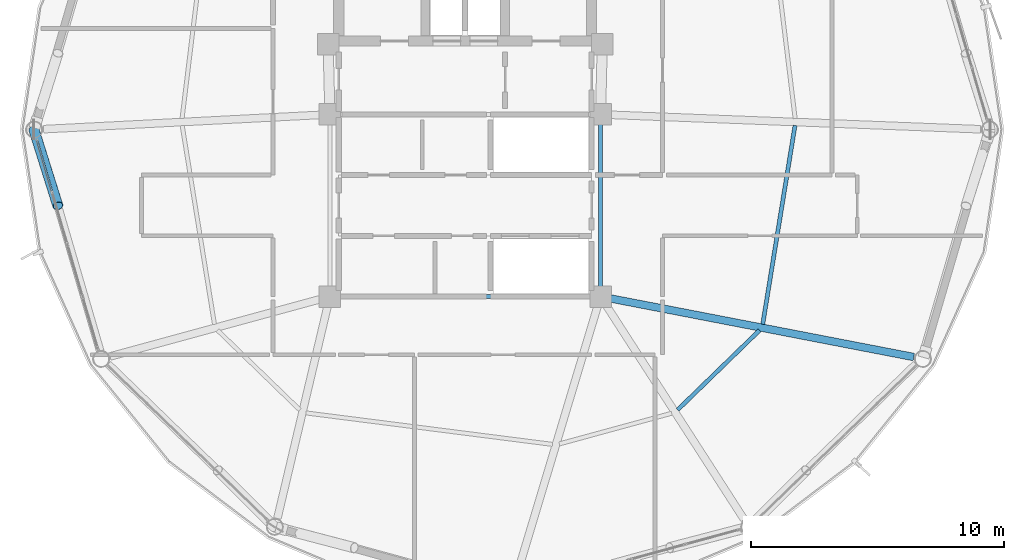
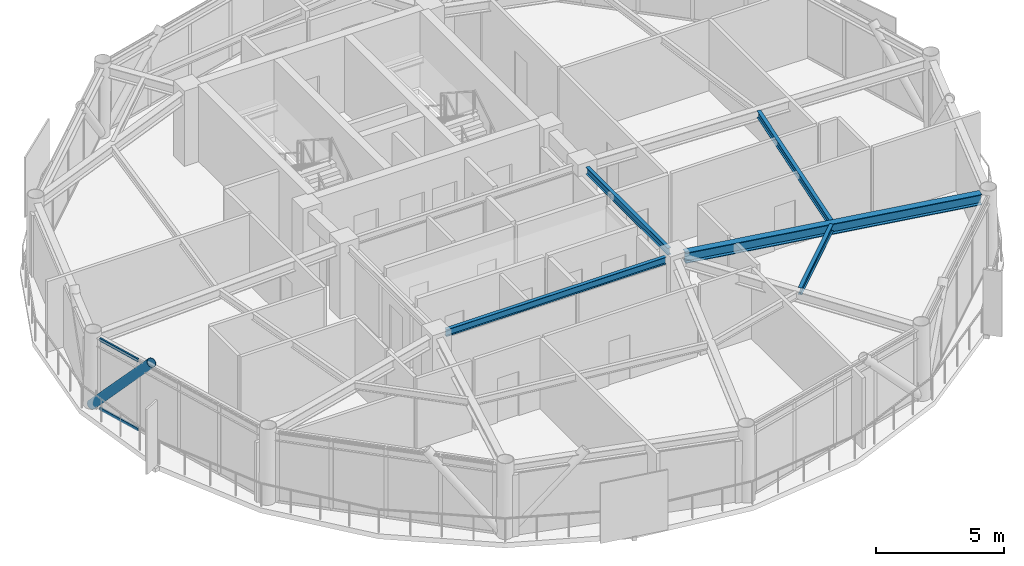
# One storey, part 10 of 28: 5 beams, 3 members, 1 element without a shape of its own.
"""IFC4 building model written with IfcOpenShell, lengths in metres."""

from ifc_helpers import new_model, si_unit, direction, frame, origin, origin_2d, place, context, subcontext, project, spatial, hollow_rectangle, hollow_circle, i_section, extrude, material, layer, layer_set, material_profile, profile_set, type_object, element, aggregate, save


model = new_model("IFC4")

# Units and contexts
model_context = context("Model", 3, precision=1e-05, world=origin(), true_north=direction((0.0, 1.0)))
body_context = subcontext(model_context, "Body", "Model", "MODEL_VIEW")
ifc_project = project(units=[si_unit("LENGTHUNIT", "METRE"), si_unit("AREAUNIT", "SQUARE_METRE"), si_unit("VOLUMEUNIT", "CUBIC_METRE"), si_unit("PLANEANGLEUNIT", "RADIAN"), si_unit("MASSUNIT", "GRAM", prefix="KILO")], contexts=[model_context])

# Site, building, storey
site_placement = place(None, origin())
site = spatial("IfcSite", under=ifc_project, at=site_placement, CompositionType="ELEMENT")
building_placement = place(site_placement, origin())
building = spatial("IfcBuilding", under=site, at=building_placement, Name="Varnakorn Sky Granary", CompositionType="ELEMENT")
storey_placement = place(building_placement, frame((0.0, 0.0, 225.60009765625)))
storey = spatial("IfcBuildingStorey", under=building, at=storey_placement, Name="L57", CompositionType="ELEMENT", Elevation=225.60009765625)

# Beams
ifc_material_1 = material(Name="Steel S355JR", Category="steel")
ifc_material_profile_1 = material_profile(ifc_material_1, i_section(OverallWidth=0.300048828125, OverallDepth=0.5, WebThickness=0.014404296875, FlangeThickness=0.028076171875, at=origin_2d()), Name="HE 500 B")
ifc_profile_set_1 = profile_set([ifc_material_profile_1], Name="Steel S355JR")
beam_type_1 = type_object("IfcBeamType", Name="BM-RAD-Z4", PredefinedType="BEAM", material=ifc_profile_set_1)
beam_1_placement = place(storey_placement, frame((8.74755859375, -6.677001953125, 3.10986328125), z_axis=(0.981832162523, -0.189751428546, 0.0), x_axis=(0.189751428546, 0.981832162523, 0.0)))
element("IfcBeam", 1, at=beam_1_placement, inside=storey, type_object=beam_type_1, Name="Radial Floor Girder RG12 L57", PredefinedType="BEAM", context=body_context, shape_type="SweptSolid", body=[
    extrude(i_section(OverallWidth=0.300048828125, OverallDepth=0.5, WebThickness=0.014404296875, FlangeThickness=0.028076171875, at=origin_2d()), origin(), (0.0, 0.0, 1.0), 12.208984375),
])
ifc_material_profile_2 = material_profile(ifc_material_1, i_section(OverallWidth=0.159912109375, OverallDepth=0.330078125, WebThickness=0.007568359375, FlangeThickness=0.011474609375, at=origin_2d()), Name="IPE 330")
ifc_profile_set_2 = profile_set([ifc_material_profile_2], Name="Steel S355JR")
beam_type_2 = type_object("IfcBeamType", Name="BM-SEC-Z4", PredefinedType="BEAM", material=ifc_profile_set_2)
beam_2_placement = place(storey_placement, frame((11.3994140625, -11.080810546875, 3.19482421875), z_axis=(0.71735190609, 0.696711018162, 0.0), x_axis=(-0.696711018162, 0.71735190609, 0.0)))
element("IfcBeam", 2, at=beam_2_placement, inside=storey, type_object=beam_type_2, Name="Secondary Floor Chord Beam MSB11 L57", PredefinedType="BEAM", context=body_context, shape_type="SweptSolid", body=[
    extrude(i_section(OverallWidth=0.159912109375, OverallDepth=0.330078125, WebThickness=0.007568359375, FlangeThickness=0.011474609375, at=origin_2d()), origin(), (0.0, 0.0, 1.0), 4.518310546875),
])
beam_3_placement = place(storey_placement, frame((14.763427734375, -7.697021484375, 3.19482421875), z_axis=(0.160314268597, 0.987066023772, 0.0), x_axis=(-0.987066023772, 0.160314268597, 0.0)))
element("IfcBeam", 3, at=beam_3_placement, inside=storey, type_object=beam_type_2, Name="Secondary Floor Chord Beam MSB12 L57", PredefinedType="BEAM", context=body_context, shape_type="SweptSolid", body=[
    extrude(i_section(OverallWidth=0.159912109375, OverallDepth=0.330078125, WebThickness=0.007568359375, FlangeThickness=0.011474609375, at=origin_2d()), origin(), (0.0, 0.0, 1.0), 7.960205078125),
])
beam_4_placement = place(storey_placement, frame((8.35009765625, 0.195068359375, 3.19482421875), z_axis=(0.0, -1.0, 0.0), x_axis=(1.0, 0.0, 0.0)))
element("IfcBeam", 4, at=beam_4_placement, inside=storey, type_object=beam_type_2, Name="Core Spine Framing Beam 4 L57", PredefinedType="BEAM", context=body_context, shape_type="SweptSolid", body=[
    extrude(i_section(OverallWidth=0.159912109375, OverallDepth=0.330078125, WebThickness=0.007568359375, FlangeThickness=0.011474609375, at=origin_2d()), origin(), (0.0, 0.0, 1.0), 6.39013671875),
])
beam_5_placement = place(storey_placement, frame((-1.945068359375, -6.60009765625, 3.19482421875), z_axis=(1.0, 0.0, 0.0), x_axis=(0.0, 1.0, 0.0)))
element("IfcBeam", 5, at=beam_5_placement, inside=storey, type_object=beam_type_2, Name="Core Spine Framing Beam 6 L57", PredefinedType="BEAM", context=body_context, shape_type="SweptSolid", body=[
    extrude(i_section(OverallWidth=0.159912109375, OverallDepth=0.330078125, WebThickness=0.007568359375, FlangeThickness=0.011474609375, at=origin_2d()), origin(), (0.0, 0.0, 1.0), 9.89013671875),
])

# Curtain wall, members
ifc_material_2 = material(Name="Anodised Bronze Aluminium Alloy 6063-T6", Category="aluminium")
ifc_layer = layer(ifc_material_2, 0.169921875, Name="Anodised Bronze Aluminium Alloy 6063-T6")
ifc_layer_set = layer_set([ifc_layer], Name="Anodised Bronze Aluminium Alloy 6063-T6")
curtain_wall_type = type_object("IfcCurtainWallType", Name="CW-LAB-1", PredefinedType="USERDEFINED", material=ifc_layer_set)
curtain_wall_placement = place(storey_placement, origin())
curtain_wall = element("IfcCurtainWall", 6, at=curtain_wall_placement, inside=storey, type_object=curtain_wall_type, Name="Unitised Curtain Wall CW5 CW-L57-B07", ObjectType="CURTAIN WALL", PredefinedType="USERDEFINED")
ifc_material_profile_3 = material_profile(ifc_material_2, hollow_rectangle(XDim=0.070068359375, YDim=0.139892578125, WallThickness=0.00341796875, at=origin_2d()), Name="ALU TRAN 70x140")
ifc_profile_set_3 = profile_set([ifc_material_profile_3], Name="Anodised Bronze Aluminium Alloy 6063-T6")
member_type_1 = type_object("IfcMemberType", Name="CW-LAB-1-TRAN", PredefinedType="USERDEFINED", material=ifc_profile_set_3)
member_1_placement = place(storey_placement, frame((-13.34423828125, -2.423583984375, 0.034912109375), z_axis=(-0.280371385616, 0.959891601238, 0.0), x_axis=(-0.959891601238, -0.280371385616, 0.0)))
member_1 = element("IfcMember", 7, at=member_1_placement, type_object=member_type_1, Name="CW5 transom 4.1", ObjectType="TRANSOM", PredefinedType="USERDEFINED", context=body_context, shape_type="SweptSolid", body=[
    extrude(hollow_rectangle(XDim=0.070068359375, YDim=0.139892578125, WallThickness=0.00341796875, at=origin_2d()), origin(), (0.0, 0.0, 1.0), 2.06982421875),
])
member_2_placement = place(storey_placement, frame((-13.34423828125, -2.423583984375, 3.324951171875), z_axis=(-0.280371385616, 0.959891601238, 0.0), x_axis=(-0.959891601238, -0.280371385616, 0.0)))
member_2 = element("IfcMember", 8, at=member_2_placement, type_object=member_type_1, Name="CW5 transom 4.2", ObjectType="TRANSOM", PredefinedType="USERDEFINED", context=body_context, shape_type="SweptSolid", body=[
    extrude(hollow_rectangle(XDim=0.070068359375, YDim=0.139892578125, WallThickness=0.00341796875, at=origin_2d()), origin(), (0.0, 0.0, 1.0), 2.06982421875),
])
aggregate(curtain_wall, [member_1, member_2])

# Member
ifc_material_3 = material(Name="Steel S460M", Category="steel")
ifc_material_profile_4 = material_profile(ifc_material_3, hollow_circle(Radius=0.203125, WallThickness=0.01611328125, at=origin_2d()), Name="CHS 406.4x16")
ifc_profile_set_4 = profile_set([ifc_material_profile_4], Name="Steel S460M")
member_type_2 = type_object("IfcMemberType", Name="MB-DIAG-T4", PredefinedType="BRACE", material=ifc_profile_set_4)
member_3_placement = place(storey_placement, frame((-14.052001953125, 0.0, 0.0), z_axis=(0.201264927478, -0.640699399577, 0.74094312086), x_axis=(0.954035337323, 0.299694135978, 0.0)))
element("IfcMember", 9, at=member_3_placement, inside=storey, type_object=member_type_2, Name="Perimeter CHS Diagrid Brace DG07 L57", PredefinedType="BRACE", context=body_context, shape_type="SweptSolid", body=[
    extrude(hollow_circle(Radius=0.203125, WallThickness=0.01611328125, at=origin_2d()), origin(), (0.0, 0.0, 1.0), 4.710205078125),
])

save(model, "model.ifc")
